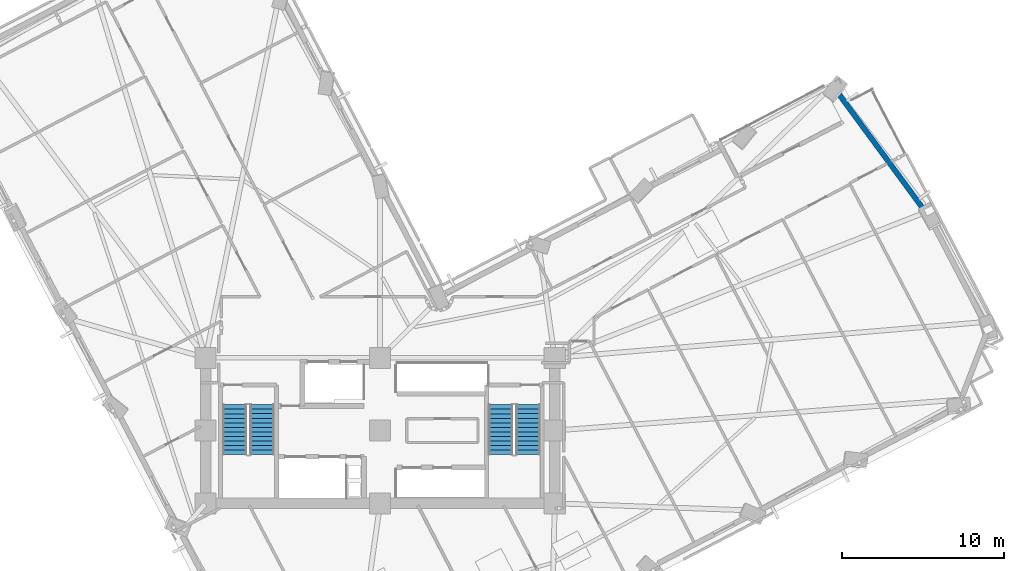
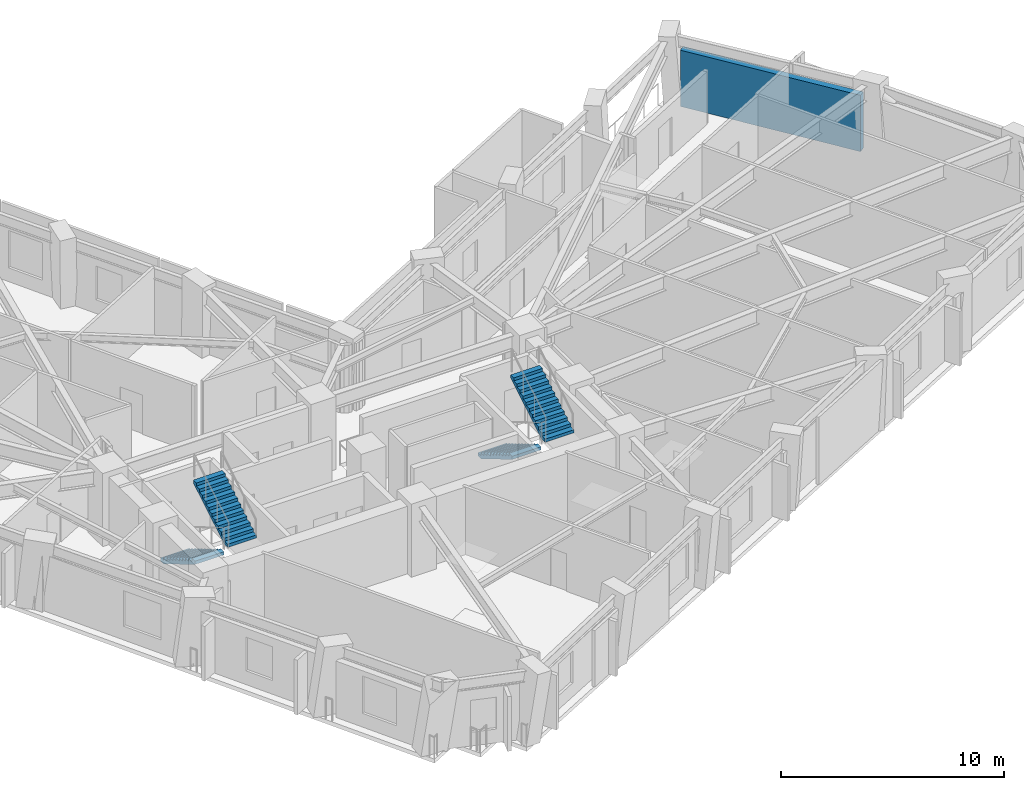
# One storey, part 12 of 16: 4 stair flights, 1 wall, 2 elements without a shape of their own.
"""IFC4 building model written with IfcOpenShell, lengths in metres."""

from ifc_helpers import new_model, si_unit, direction, frame, frame_2d, origin, place, context, subcontext, project, spatial, polyline, rectangle, outline, extrude, material, layer, layer_set, type_object, element, aggregate, save


model = new_model("IFC4")

# Units and contexts
model_context = context("Model", 3, precision=1e-05, world=origin(), true_north=direction((0.0, 1.0)))
body_context = subcontext(model_context, "Body", "Model", "MODEL_VIEW")
ifc_project = project(units=[si_unit("LENGTHUNIT", "METRE"), si_unit("AREAUNIT", "SQUARE_METRE"), si_unit("VOLUMEUNIT", "CUBIC_METRE"), si_unit("PLANEANGLEUNIT", "RADIAN"), si_unit("MASSUNIT", "GRAM", prefix="KILO")], contexts=[model_context])

# Site, building, storey
site_placement = place(None, origin())
site = spatial("IfcSite", under=ifc_project, at=site_placement, CompositionType="ELEMENT")
building_placement = place(site_placement, origin())
building = spatial("IfcBuilding", under=site, at=building_placement, Name="Gaonmaruhae Medical Tower", CompositionType="ELEMENT")
storey_placement = place(building_placement, frame((0.0, 0.0, 140.39990234375)))
storey = spatial("IfcBuildingStorey", under=building, at=storey_placement, Name="L33", CompositionType="ELEMENT", Elevation=140.39990234375)

# Wall
ifc_material_1 = material(Name="Precast concrete C45/55", Category="concrete")
ifc_layer = layer(ifc_material_1, 0.320068359375)
ifc_layer_set = layer_set([ifc_layer], Name="Precast concrete C45/55")
wall_type = type_object("IfcWallType", Name="EW-320 Lower Precast Masonry-Frame Facade Wall", PredefinedType="SOLIDWALL", material=ifc_layer_set)
wall_placement = place(storey_placement, frame((53.16748046875, 33.125244140625, 0.0), z_axis=(0.0, 0.0, 1.0), x_axis=(0.592579759448, -0.805511780604, 0.0)))
element("IfcWall", 1, at=wall_placement, inside=storey, type_object=wall_type, Name="L33 Precast Masonry-Frame Wall E02-E03", PredefinedType="SOLIDWALL", context=body_context, shape_type="SweptSolid", body=[
    extrude(rectangle(XDim=8.837646484375, YDim=0.320068359375, at=frame_2d((4.4189453125, 0.0))), origin(), (0.0, 0.0, 1.0), 3.085205078125),
])

# Stair, stair flights
ifc_material_2 = material(Name="Concrete C40/50", Category="concrete")
stair_type = type_object("IfcStairType", Name="ST-T1 Primary Core Escape Dogleg Stair", PredefinedType="TWO_QUARTER_TURN_STAIR", material=ifc_material_2)
stair_1_placement = place(storey_placement, origin())
stair_1 = element("IfcStair", 2, at=stair_1_placement, inside=storey, type_object=stair_type, Name="L33 Protected Escape Stair ST-01", PredefinedType="TWO_QUARTER_TURN_STAIR")
stair_flight_type = type_object("IfcStairFlightType", Name="SF-T1 Primary Core Precast Stair Flight", PredefinedType="STRAIGHT", material=ifc_material_2)
stair_flight_1_placement = place(storey_placement, frame((15.800048828125, 13.89990234375, 0.0), z_axis=(0.0, 0.0, 1.0), x_axis=(0.0, -1.0, 0.0)))
stair_flight_1 = element("IfcStairFlight", 3, at=stair_flight_1_placement, type_object=stair_flight_type, Name="ST-01 flight 1", NumberOfRisers=12, NumberOfTreads=11, PredefinedType="STRAIGHT", RiserHeight=0.166666667, TreadLength=0.28, context=body_context, shape_type="SweptSolid", body=[
    extrude(outline(polyline([(0.0, 0.0), (0.0, 0.166748046875), (0.280029296875, 0.166748046875), (0.280029296875, 0.333251953125), (0.56005859375, 0.333251953125), (0.56005859375, 0.5), (0.840087890625, 0.5), (0.840087890625, 0.666748046875), (1.1201171875, 0.666748046875), (1.1201171875, 0.833251953125), (1.39990234375, 0.833251953125), (1.39990234375, 1.0), (1.679931640625, 1.0), (1.679931640625, 1.166748046875), (1.9599609375, 1.166748046875), (1.9599609375, 1.333251953125), (2.239990234375, 1.333251953125), (2.239990234375, 1.5), (2.52001953125, 1.5), (2.52001953125, 1.666748046875), (2.800048828125, 1.666748046875), (2.800048828125, 1.833251953125), (3.080078125, 1.833251953125), (3.080078125, 2.0), (3.080078125, 1.658935546875), (0.29296875, 0.0), (0.0, 0.0)])), frame((0.0, 0.75, 0.0), z_axis=(0.0, -1.0, 0.0), x_axis=(1.0, 0.0, 0.0)), (0.0, 0.0, 1.0), 1.5),
])
stair_flight_2_placement = place(storey_placement, frame((17.5, 10.820068359375, 2.0), z_axis=(0.0, 0.0, 1.0), x_axis=(0.0, 1.0, 0.0)))
stair_flight_2 = element("IfcStairFlight", 4, at=stair_flight_2_placement, type_object=stair_flight_type, Name="ST-01 flight 2", NumberOfRisers=12, NumberOfTreads=11, PredefinedType="STRAIGHT", RiserHeight=0.166666667, TreadLength=0.28, context=body_context, shape_type="SweptSolid", body=[
    extrude(outline(polyline([(0.0, 0.0), (0.0, 0.166748046875), (0.280029296875, 0.166748046875), (0.280029296875, 0.333251953125), (0.56005859375, 0.333251953125), (0.56005859375, 0.5), (0.840087890625, 0.5), (0.840087890625, 0.666748046875), (1.1201171875, 0.666748046875), (1.1201171875, 0.833251953125), (1.39990234375, 0.833251953125), (1.39990234375, 1.0), (1.679931640625, 1.0), (1.679931640625, 1.166748046875), (1.9599609375, 1.166748046875), (1.9599609375, 1.333251953125), (2.239990234375, 1.333251953125), (2.239990234375, 1.5), (2.52001953125, 1.5), (2.52001953125, 1.666748046875), (2.800048828125, 1.666748046875), (2.800048828125, 1.833251953125), (3.080078125, 1.833251953125), (3.080078125, 2.0), (3.080078125, 1.658935546875), (0.29296875, 0.0), (0.0, 0.0)])), frame((0.0, 0.75, 0.0), z_axis=(0.0, -1.0, 0.0), x_axis=(1.0, 0.0, 0.0)), (0.0, 0.0, 1.0), 1.5),
])
aggregate(stair_1, [stair_flight_1, stair_flight_2])

stair_2_placement = place(storey_placement, origin())
stair_2 = element("IfcStair", 5, at=stair_2_placement, inside=storey, type_object=stair_type, Name="L33 Protected Escape Stair ST-02", PredefinedType="TWO_QUARTER_TURN_STAIR")
stair_flight_3_placement = place(storey_placement, frame((32.25, 13.89990234375, 0.0), z_axis=(0.0, 0.0, 1.0), x_axis=(0.0, -1.0, 0.0)))
stair_flight_3 = element("IfcStairFlight", 6, at=stair_flight_3_placement, type_object=stair_flight_type, Name="ST-02 flight 1", NumberOfRisers=12, NumberOfTreads=11, PredefinedType="STRAIGHT", RiserHeight=0.166666667, TreadLength=0.28, context=body_context, shape_type="SweptSolid", body=[
    extrude(outline(polyline([(0.0, 0.0), (0.0, 0.166748046875), (0.280029296875, 0.166748046875), (0.280029296875, 0.333251953125), (0.56005859375, 0.333251953125), (0.56005859375, 0.5), (0.840087890625, 0.5), (0.840087890625, 0.666748046875), (1.1201171875, 0.666748046875), (1.1201171875, 0.833251953125), (1.39990234375, 0.833251953125), (1.39990234375, 1.0), (1.679931640625, 1.0), (1.679931640625, 1.166748046875), (1.9599609375, 1.166748046875), (1.9599609375, 1.333251953125), (2.239990234375, 1.333251953125), (2.239990234375, 1.5), (2.52001953125, 1.5), (2.52001953125, 1.666748046875), (2.800048828125, 1.666748046875), (2.800048828125, 1.833251953125), (3.080078125, 1.833251953125), (3.080078125, 2.0), (3.080078125, 1.658935546875), (0.29296875, 0.0), (0.0, 0.0)])), frame((0.0, 0.75, 0.0), z_axis=(0.0, -1.0, 0.0), x_axis=(1.0, 0.0, 0.0)), (0.0, 0.0, 1.0), 1.5),
])
stair_flight_4_placement = place(storey_placement, frame((33.949951171875, 10.820068359375, 2.0), z_axis=(0.0, 0.0, 1.0), x_axis=(0.0, 1.0, 0.0)))
stair_flight_4 = element("IfcStairFlight", 7, at=stair_flight_4_placement, type_object=stair_flight_type, Name="ST-02 flight 2", NumberOfRisers=12, NumberOfTreads=11, PredefinedType="STRAIGHT", RiserHeight=0.166666667, TreadLength=0.28, context=body_context, shape_type="SweptSolid", body=[
    extrude(outline(polyline([(0.0, 0.0), (0.0, 0.166748046875), (0.280029296875, 0.166748046875), (0.280029296875, 0.333251953125), (0.56005859375, 0.333251953125), (0.56005859375, 0.5), (0.840087890625, 0.5), (0.840087890625, 0.666748046875), (1.1201171875, 0.666748046875), (1.1201171875, 0.833251953125), (1.39990234375, 0.833251953125), (1.39990234375, 1.0), (1.679931640625, 1.0), (1.679931640625, 1.166748046875), (1.9599609375, 1.166748046875), (1.9599609375, 1.333251953125), (2.239990234375, 1.333251953125), (2.239990234375, 1.5), (2.52001953125, 1.5), (2.52001953125, 1.666748046875), (2.800048828125, 1.666748046875), (2.800048828125, 1.833251953125), (3.080078125, 1.833251953125), (3.080078125, 2.0), (3.080078125, 1.658935546875), (0.29296875, 0.0), (0.0, 0.0)])), frame((0.0, 0.75, 0.0), z_axis=(0.0, -1.0, 0.0), x_axis=(1.0, 0.0, 0.0)), (0.0, 0.0, 1.0), 1.5),
])
aggregate(stair_2, [stair_flight_3, stair_flight_4])

save(model, "model.ifc")
